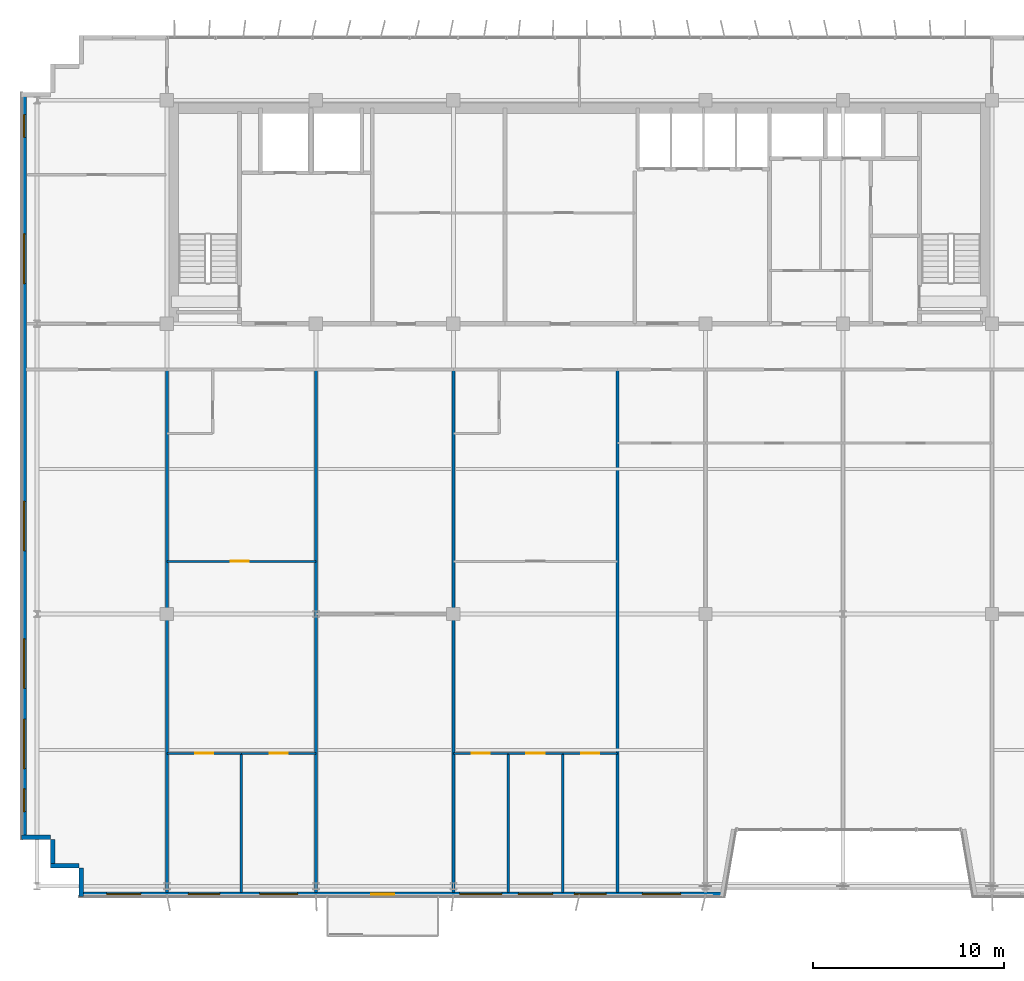
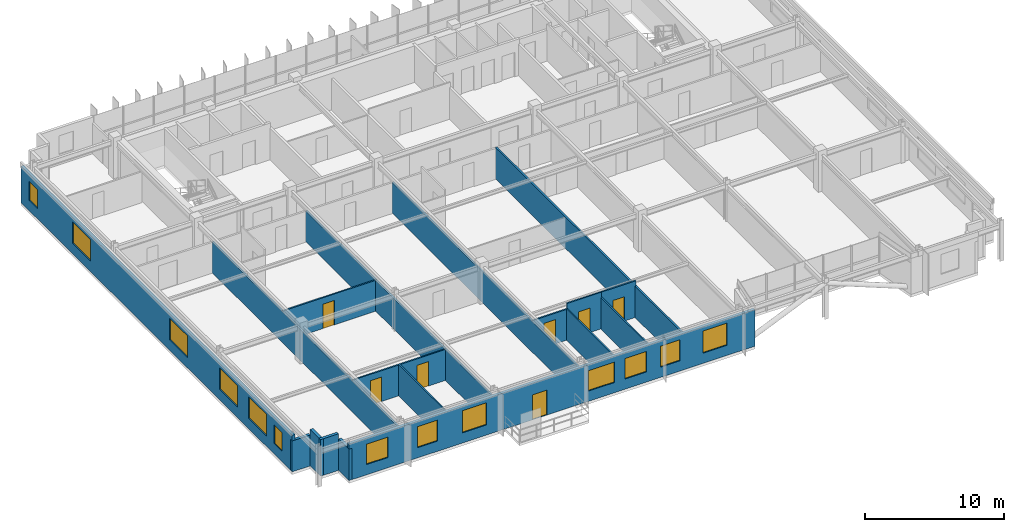
# One storey, part 21 of 27: 19 walls, 13 windows, 7 doors, 20 openings.
"""IFC4 building model written with IfcOpenShell, lengths in metres."""

from ifc_helpers import new_model, si_unit, direction, frame, frame_2d, origin, place, context, subcontext, project, spatial, rectangle, extrude, source, transform, mapped, material, layer, layer_set, type_object, element, fill, save


model = new_model("IFC4")

# Units and contexts
model_context = context("Model", 3, precision=1e-05, world=origin(), true_north=direction((0.0, 1.0)))
body_context = subcontext(model_context, "Body", "Model", "MODEL_VIEW")
ifc_project = project(units=[si_unit("LENGTHUNIT", "METRE"), si_unit("AREAUNIT", "SQUARE_METRE"), si_unit("VOLUMEUNIT", "CUBIC_METRE"), si_unit("PLANEANGLEUNIT", "RADIAN"), si_unit("MASSUNIT", "GRAM", prefix="KILO")], contexts=[model_context])

# Site, building, storey
site_placement = place(None, origin())
site = spatial("IfcSite", under=ifc_project, at=site_placement, CompositionType="ELEMENT")
building_placement = place(site_placement, origin())
building = spatial("IfcBuilding", under=site, at=building_placement, Name="Trelvane Seafront Commons", CompositionType="ELEMENT")
storey_placement = place(building_placement, frame((0.0, 0.0, 237.300048828125)))
storey = spatial("IfcBuildingStorey", under=building, at=storey_placement, Name="L62", CompositionType="ELEMENT", Elevation=237.300048828125)

# Walls
ifc_material_1 = material(Name="Precast concrete C40/50", Category="concrete")
ifc_layer_1 = layer(ifc_material_1, 0.239990234375, Name="ARCH-WALL-EXT240")
ifc_layer_set_1 = layer_set([ifc_layer_1], Name="Precast concrete C40/50")
wall_type_1 = type_object("IfcWallType", Name="ARCH-WALL-EXT240", PredefinedType="SOLIDWALL", material=ifc_layer_set_1)
for number, where, z_axis, x_axis, name in (
    (1, (11.0, 5.02001953125, 0.0), (0.0, 0.0, 1.0), (-1.0, 0.0, 0.0), "EW-L62-01255"),
    (2, (9.6201171875, 4.89990234375, 0.0), (0.0, 0.0, 1.0), (0.0, 1.0, 0.0), "EW-L62-01256"),
):
    element("IfcWall", number, at=place(storey_placement, frame(where, z_axis=z_axis, x_axis=x_axis)), inside=storey, type_object=wall_type_1, Name=name, PredefinedType="SOLIDWALL", context=body_context, shape_type="SweptSolid", body=[
        extrude(rectangle(XDim=1.5, YDim=0.239990234375, at=frame_2d((0.75, 0.0))), origin(), (0.0, 0.0, 1.0), 3.219970703125),
    ])
wall_1_placement = place(storey_placement, frame((9.5, 6.52001953125, 0.0), z_axis=(0.0, 0.0, 1.0), x_axis=(-1.0, 0.0, 0.0)))
element("IfcWall", 3, at=wall_1_placement, inside=storey, type_object=wall_type_1, Name="EW-L62-01257", PredefinedType="SOLIDWALL", context=body_context, shape_type="SweptSolid", body=[
    extrude(rectangle(XDim=1.5, YDim=0.239990234375, at=frame_2d((0.75, 0.0))), origin(), (0.0, 0.0, 1.0), 2.719970703125),
])

# Wall, openings, windows
wall_2_placement = place(storey_placement, frame((8.1201171875, 6.39990234375, 0.0), z_axis=(0.0, 0.0, 1.0), x_axis=(0.0, 1.0, 0.0)))
wall_2 = element("IfcWall", 4, at=wall_2_placement, inside=storey, type_object=wall_type_1, Name="EW-L62-01258", PredefinedType="SOLIDWALL", context=body_context, shape_type="SweptSolid", body=[
    extrude(rectangle(XDim=39.10009765625, YDim=0.239990234375, at=frame_2d((19.550048828125, 0.0))), origin(), (0.0, 0.0, 1.0), 3.219970703125),
])
opening_1_placement = place(wall_2_placement, frame((1.449951171875, 0.0, 0.919921875)))
opening_1 = element("IfcOpeningElement", 5, at=opening_1_placement, cuts=wall_2, Name="Opening W05", PredefinedType="OPENING", context=body_context, shape_type="SweptSolid", body=[
    extrude(rectangle(XDim=1.199951171875, YDim=1.64990234375, at=frame_2d((0.60009765625, 0.824951171875))), frame((0.0, 0.1298828125, 0.0), z_axis=(0.0, -1.0, 0.0), x_axis=(1.0, 0.0, 0.0)), (0.0, 0.0, 1.0), 0.260009765625),
])
opening_2_placement = place(wall_2_placement, frame((3.699951171875, 0.0, 0.919921875)))
opening_2 = element("IfcOpeningElement", 6, at=opening_2_placement, cuts=wall_2, Name="Opening W04", PredefinedType="OPENING", context=body_context, shape_type="SweptSolid", body=[
    extrude(rectangle(XDim=2.60009765625, YDim=1.89990234375, at=frame_2d((1.300048828125, 0.949951171875))), frame((0.0, 0.1298828125, 0.0), z_axis=(0.0, -1.0, 0.0), x_axis=(1.0, 0.0, 0.0)), (0.0, 0.0, 1.0), 0.260009765625),
])
opening_3_placement = place(wall_2_placement, frame((7.89990234375, 0.0, 0.919921875)))
opening_3 = element("IfcOpeningElement", 7, at=opening_3_placement, cuts=wall_2, Name="Opening W04", PredefinedType="OPENING", context=body_context, shape_type="SweptSolid", body=[
    extrude(rectangle(XDim=2.60009765625, YDim=1.89990234375, at=frame_2d((1.300048828125, 0.949951171875))), frame((0.0, 0.1298828125, 0.0), z_axis=(0.0, -1.0, 0.0), x_axis=(1.0, 0.0, 0.0)), (0.0, 0.0, 1.0), 0.260009765625),
])
opening_4_placement = place(wall_2_placement, frame((15.10009765625, 0.0, 0.919921875)))
opening_4 = element("IfcOpeningElement", 8, at=opening_4_placement, cuts=wall_2, Name="Opening W04", PredefinedType="OPENING", context=body_context, shape_type="SweptSolid", body=[
    extrude(rectangle(XDim=2.60009765625, YDim=1.89990234375, at=frame_2d((1.300048828125, 0.949951171875))), frame((0.0, 0.1298828125, 0.0), z_axis=(0.0, -1.0, 0.0), x_axis=(1.0, 0.0, 0.0)), (0.0, 0.0, 1.0), 0.260009765625),
])
opening_5_placement = place(wall_2_placement, frame((29.10009765625, 0.0, 0.919921875)))
opening_5 = element("IfcOpeningElement", 9, at=opening_5_placement, cuts=wall_2, Name="Opening W04", PredefinedType="OPENING", context=body_context, shape_type="SweptSolid", body=[
    extrude(rectangle(XDim=2.60009765625, YDim=1.89990234375, at=frame_2d((1.300048828125, 0.949951171875))), frame((0.0, 0.1298828125, 0.0), z_axis=(0.0, -1.0, 0.0), x_axis=(1.0, 0.0, 0.0)), (0.0, 0.0, 1.0), 0.260009765625),
])
opening_6_placement = place(wall_2_placement, frame((36.75, 0.0, 0.919921875)))
opening_6 = element("IfcOpeningElement", 10, at=opening_6_placement, cuts=wall_2, Name="Opening W05", PredefinedType="OPENING", context=body_context, shape_type="SweptSolid", body=[
    extrude(rectangle(XDim=1.199951171875, YDim=1.64990234375, at=frame_2d((0.60009765625, 0.824951171875))), frame((0.0, 0.1298828125, 0.0), z_axis=(0.0, -1.0, 0.0), x_axis=(1.0, 0.0, 0.0)), (0.0, 0.0, 1.0), 0.260009765625),
])
ifc_material_2 = material(Name="Low-E coastal double glazing", Category="glass")
window_type_1 = type_object("IfcWindowType", Name="ARCH-WIN-W04", PartitioningType="SINGLE_PANEL", PredefinedType="WINDOW", material=ifc_material_2)
shared_shape_1 = source(origin(), body_context, "Body", "SweptSolid", [
    extrude(rectangle(XDim=2.60009765625, YDim=1.89990234375, at=frame_2d((1.300048828125, 0.949951171875))), frame((0.0, 0.030029296875, 0.0), z_axis=(0.0, -1.0, 0.0), x_axis=(1.0, 0.0, 0.0)), (0.0, 0.0, 1.0), 0.06005859375),
])
window_1_placement = place(opening_2_placement, origin())
window_1 = element("IfcWindow", 11, at=window_1_placement, inside=storey, type_object=window_type_1, Name="WIN-L62-EW-01514", OverallHeight=1.89990234375, OverallWidth=2.60009765625, PartitioningType="SINGLE_PANEL", PredefinedType="WINDOW", context=body_context, shape_type="MappedRepresentation", body=[
    mapped(shared_shape_1, transform((0.0, 0.0, 0.0), x_axis=(1.0, 0.0, 0.0), y_axis=(0.0, 1.0, 0.0), z_axis=(0.0, 0.0, 1.0), scale=1.0)),
])
fill(opening_2, window_1)
window_2_placement = place(opening_3_placement, origin())
window_2 = element("IfcWindow", 12, at=window_2_placement, inside=storey, type_object=window_type_1, Name="WIN-L62-EW-01515", OverallHeight=1.89990234375, OverallWidth=2.60009765625, PartitioningType="SINGLE_PANEL", PredefinedType="WINDOW", context=body_context, shape_type="MappedRepresentation", body=[
    mapped(shared_shape_1, transform((0.0, 0.0, 0.0), x_axis=(1.0, 0.0, 0.0), y_axis=(0.0, 1.0, 0.0), z_axis=(0.0, 0.0, 1.0), scale=1.0)),
])
fill(opening_3, window_2)
window_3_placement = place(opening_4_placement, origin())
window_3 = element("IfcWindow", 13, at=window_3_placement, inside=storey, type_object=window_type_1, Name="WIN-L62-EW-01516", OverallHeight=1.89990234375, OverallWidth=2.60009765625, PartitioningType="SINGLE_PANEL", PredefinedType="WINDOW", context=body_context, shape_type="MappedRepresentation", body=[
    mapped(shared_shape_1, transform((0.0, 0.0, 0.0), x_axis=(1.0, 0.0, 0.0), y_axis=(0.0, 1.0, 0.0), z_axis=(0.0, 0.0, 1.0), scale=1.0)),
])
fill(opening_4, window_3)
window_4_placement = place(opening_5_placement, origin())
window_4 = element("IfcWindow", 14, at=window_4_placement, inside=storey, type_object=window_type_1, Name="WIN-L62-EW-01517", OverallHeight=1.89990234375, OverallWidth=2.60009765625, PartitioningType="SINGLE_PANEL", PredefinedType="WINDOW", context=body_context, shape_type="MappedRepresentation", body=[
    mapped(shared_shape_1, transform((0.0, 0.0, 0.0), x_axis=(1.0, 0.0, 0.0), y_axis=(0.0, 1.0, 0.0), z_axis=(0.0, 0.0, 1.0), scale=1.0)),
])
fill(opening_5, window_4)
window_type_2 = type_object("IfcWindowType", Name="ARCH-WIN-W05", PartitioningType="SINGLE_PANEL", PredefinedType="WINDOW", material=ifc_material_2)
shared_shape_2 = source(origin(), body_context, "Body", "SweptSolid", [
    extrude(rectangle(XDim=1.199951171875, YDim=1.64990234375, at=frame_2d((0.60009765625, 0.824951171875))), frame((0.0, 0.030029296875, 0.0), z_axis=(0.0, -1.0, 0.0), x_axis=(1.0, 0.0, 0.0)), (0.0, 0.0, 1.0), 0.06005859375),
])
window_5_placement = place(opening_1_placement, origin())
window_5 = element("IfcWindow", 15, at=window_5_placement, inside=storey, type_object=window_type_2, Name="WIN-L62-EW-01513", OverallHeight=1.64990234375, OverallWidth=1.199951171875, PartitioningType="SINGLE_PANEL", PredefinedType="WINDOW", context=body_context, shape_type="MappedRepresentation", body=[
    mapped(shared_shape_2, transform((0.0, 0.0, 0.0), x_axis=(1.0, 0.0, 0.0), y_axis=(0.0, 1.0, 0.0), z_axis=(0.0, 0.0, 1.0), scale=1.0)),
])
fill(opening_1, window_5)
window_6_placement = place(opening_6_placement, origin())
window_6 = element("IfcWindow", 16, at=window_6_placement, inside=storey, type_object=window_type_2, Name="WIN-L62-EW-01518", OverallHeight=1.64990234375, OverallWidth=1.199951171875, PartitioningType="SINGLE_PANEL", PredefinedType="WINDOW", context=body_context, shape_type="MappedRepresentation", body=[
    mapped(shared_shape_2, transform((0.0, 0.0, 0.0), x_axis=(1.0, 0.0, 0.0), y_axis=(0.0, 1.0, 0.0), z_axis=(0.0, 0.0, 1.0), scale=1.0)),
])
fill(opening_6, window_6)

# Wall, openings, door, windows
wall_3_placement = place(storey_placement, frame((44.800048828125, 3.52001953125, 0.0), z_axis=(0.0, 0.0, 1.0), x_axis=(-1.0, 0.0, 0.0)))
wall_3 = element("IfcWall", 17, at=wall_3_placement, inside=storey, type_object=wall_type_1, Name="EW-L62-01275", PredefinedType="SOLIDWALL", context=body_context, shape_type="SweptSolid", body=[
    extrude(rectangle(XDim=33.800048828125, YDim=0.239990234375, at=frame_2d((16.89990234375, 0.0))), origin(), (0.0, 0.0, 1.0), 3.219970703125),
])
opening_7_placement = place(wall_3_placement, frame((2.300048828125, 0.0, 0.89990234375)))
opening_7 = element("IfcOpeningElement", 18, at=opening_7_placement, cuts=wall_3, Name="Opening W06", PredefinedType="OPENING", context=body_context, shape_type="SweptSolid", body=[
    extrude(rectangle(XDim=2.0, YDim=1.949951171875, at=frame_2d((1.0, 0.97509765625))), frame((0.0, 0.1298828125, 0.0), z_axis=(0.0, -1.0, 0.0), x_axis=(1.0, 0.0, 0.0)), (0.0, 0.0, 1.0), 0.260009765625),
])
opening_8_placement = place(wall_3_placement, frame((6.2080078125, 0.0, 0.89990234375)))
opening_8 = element("IfcOpeningElement", 19, at=opening_8_placement, cuts=wall_3, Name="Opening W07", PredefinedType="OPENING", context=body_context, shape_type="SweptSolid", body=[
    extrude(rectangle(XDim=1.64990234375, YDim=1.85009765625, at=frame_2d((0.824951171875, 0.925048828125))), frame((0.0, 0.1298828125, 0.0), z_axis=(0.0, -1.0, 0.0), x_axis=(1.0, 0.0, 0.0)), (0.0, 0.0, 1.0), 0.260009765625),
])
opening_9_placement = place(wall_3_placement, frame((9.0, 0.0, 0.89990234375)))
opening_9 = element("IfcOpeningElement", 20, at=opening_9_placement, cuts=wall_3, Name="Opening W01", PredefinedType="OPENING", context=body_context, shape_type="SweptSolid", body=[
    extrude(rectangle(XDim=1.800048828125, YDim=1.800048828125, at=frame_2d((0.89990234375, 0.89990234375))), frame((0.0, 0.1298828125, 0.0), z_axis=(0.0, -1.0, 0.0), x_axis=(1.0, 0.0, 0.0)), (0.0, 0.0, 1.0), 0.260009765625),
])
opening_10_placement = place(wall_3_placement, frame((11.666015625, 0.0, 0.89990234375)))
opening_10 = element("IfcOpeningElement", 21, at=opening_10_placement, cuts=wall_3, Name="Opening W02", PredefinedType="OPENING", context=body_context, shape_type="SweptSolid", body=[
    extrude(rectangle(XDim=2.199951171875, YDim=1.800048828125, at=frame_2d((1.10009765625, 0.89990234375))), frame((0.0, 0.1298828125, 0.0), z_axis=(0.0, -1.0, 0.0), x_axis=(1.0, 0.0, 0.0)), (0.0, 0.0, 1.0), 0.260009765625),
])
opening_11_placement = place(wall_3_placement, frame((17.291015625, 0.0, 0.0)))
opening_11 = element("IfcOpeningElement", 22, at=opening_11_placement, cuts=wall_3, Name="Opening BD-L62-129", PredefinedType="OPENING", context=body_context, shape_type="SweptSolid", body=[
    extrude(rectangle(XDim=1.199951171875, YDim=2.199951171875, at=frame_2d((0.60009765625, 1.10009765625))), frame((0.0, 0.1298828125, 0.0), z_axis=(0.0, -1.0, 0.0), x_axis=(1.0, 0.0, 0.0)), (0.0, 0.0, 1.0), 0.260009765625),
])
opening_12_placement = place(wall_3_placement, frame((22.35009765625, 0.0, 0.89990234375)))
opening_12 = element("IfcOpeningElement", 23, at=opening_12_placement, cuts=wall_3, Name="Opening W06", PredefinedType="OPENING", context=body_context, shape_type="SweptSolid", body=[
    extrude(rectangle(XDim=2.0, YDim=1.949951171875, at=frame_2d((1.0, 0.97509765625))), frame((0.0, 0.1298828125, 0.0), z_axis=(0.0, -1.0, 0.0), x_axis=(1.0, 0.0, 0.0)), (0.0, 0.0, 1.0), 0.260009765625),
])
opening_13_placement = place(wall_3_placement, frame((26.425048828125, 0.0, 0.89990234375)))
opening_13 = element("IfcOpeningElement", 24, at=opening_13_placement, cuts=wall_3, Name="Opening W07", PredefinedType="OPENING", context=body_context, shape_type="SweptSolid", body=[
    extrude(rectangle(XDim=1.64990234375, YDim=1.85009765625, at=frame_2d((0.824951171875, 0.925048828125))), frame((0.0, 0.1298828125, 0.0), z_axis=(0.0, -1.0, 0.0), x_axis=(1.0, 0.0, 0.0)), (0.0, 0.0, 1.0), 0.260009765625),
])
opening_14_placement = place(wall_3_placement, frame((30.554931640625, 0.0, 0.89990234375)))
opening_14 = element("IfcOpeningElement", 25, at=opening_14_placement, cuts=wall_3, Name="Opening W01", PredefinedType="OPENING", context=body_context, shape_type="SweptSolid", body=[
    extrude(rectangle(XDim=1.800048828125, YDim=1.800048828125, at=frame_2d((0.89990234375, 0.89990234375))), frame((0.0, 0.1298828125, 0.0), z_axis=(0.0, -1.0, 0.0), x_axis=(1.0, 0.0, 0.0)), (0.0, 0.0, 1.0), 0.260009765625),
])
ifc_material_3 = material(Name="Powder-coated aluminium frame", Category="aluminium")
door_type_1 = type_object("IfcDoorType", Name="ARCH-DR-BAL1200", OperationType="NOTDEFINED", PredefinedType="DOOR", material=ifc_material_3)
shared_shape_3 = source(origin(), body_context, "Body", "SweptSolid", [
    extrude(rectangle(XDim=1.199951171875, YDim=2.199951171875, at=frame_2d((0.60009765625, 1.10009765625))), frame((0.0, 0.02490234375, 0.0), z_axis=(0.0, -1.0, 0.0), x_axis=(1.0, 0.0, 0.0)), (0.0, 0.0, 1.0), 0.050048828125),
])
door_1_placement = place(opening_11_placement, origin())
door_1 = element("IfcDoor", 26, at=door_1_placement, inside=storey, type_object=door_type_1, Name="L62 Balcony Terrace Access Door", OperationType="SINGLE_SWING_LEFT", OverallHeight=2.199951171875, OverallWidth=1.199951171875, PredefinedType="DOOR", context=body_context, shape_type="MappedRepresentation", body=[
    mapped(shared_shape_3, transform((0.0, 0.0, 0.0), x_axis=(1.0, 0.0, 0.0), y_axis=(0.0, 1.0, 0.0), z_axis=(0.0, 0.0, 1.0), scale=1.0)),
])
fill(opening_11, door_1)
window_type_3 = type_object("IfcWindowType", Name="ARCH-WIN-W02", PartitioningType="SINGLE_PANEL", PredefinedType="WINDOW", material=ifc_material_2)
shared_shape_4 = source(origin(), body_context, "Body", "SweptSolid", [
    extrude(rectangle(XDim=2.199951171875, YDim=1.800048828125, at=frame_2d((1.10009765625, 0.89990234375))), frame((0.0, 0.030029296875, 0.0), z_axis=(0.0, -1.0, 0.0), x_axis=(1.0, 0.0, 0.0)), (0.0, 0.0, 1.0), 0.06005859375),
])
window_7_placement = place(opening_10_placement, origin())
window_7 = element("IfcWindow", 27, at=window_7_placement, inside=storey, type_object=window_type_3, Name="WIN-L62-01530", OverallHeight=1.800048828125, OverallWidth=2.199951171875, PartitioningType="SINGLE_PANEL", PredefinedType="WINDOW", context=body_context, shape_type="MappedRepresentation", body=[
    mapped(shared_shape_4, transform((0.0, 0.0, 0.0), x_axis=(1.0, 0.0, 0.0), y_axis=(0.0, 1.0, 0.0), z_axis=(0.0, 0.0, 1.0), scale=1.0)),
])
fill(opening_10, window_7)
window_type_4 = type_object("IfcWindowType", Name="ARCH-WIN-W06", PartitioningType="SINGLE_PANEL", PredefinedType="WINDOW", material=ifc_material_2)
shared_shape_5 = source(origin(), body_context, "Body", "SweptSolid", [
    extrude(rectangle(XDim=2.0, YDim=1.949951171875, at=frame_2d((1.0, 0.97509765625))), frame((0.0, 0.030029296875, 0.0), z_axis=(0.0, -1.0, 0.0), x_axis=(1.0, 0.0, 0.0)), (0.0, 0.0, 1.0), 0.06005859375),
])
window_8_placement = place(opening_7_placement, origin())
window_8 = element("IfcWindow", 28, at=window_8_placement, inside=storey, type_object=window_type_4, Name="WIN-L62-01527", OverallHeight=1.949951171875, OverallWidth=2.0, PartitioningType="SINGLE_PANEL", PredefinedType="WINDOW", context=body_context, shape_type="MappedRepresentation", body=[
    mapped(shared_shape_5, transform((0.0, 0.0, 0.0), x_axis=(1.0, 0.0, 0.0), y_axis=(0.0, 1.0, 0.0), z_axis=(0.0, 0.0, 1.0), scale=1.0)),
])
fill(opening_7, window_8)
window_9_placement = place(opening_12_placement, origin())
window_9 = element("IfcWindow", 29, at=window_9_placement, inside=storey, type_object=window_type_4, Name="WIN-L62-01531", OverallHeight=1.949951171875, OverallWidth=2.0, PartitioningType="SINGLE_PANEL", PredefinedType="WINDOW", context=body_context, shape_type="MappedRepresentation", body=[
    mapped(shared_shape_5, transform((0.0, 0.0, 0.0), x_axis=(1.0, 0.0, 0.0), y_axis=(0.0, 1.0, 0.0), z_axis=(0.0, 0.0, 1.0), scale=1.0)),
])
fill(opening_12, window_9)
window_type_5 = type_object("IfcWindowType", Name="ARCH-WIN-W01", PartitioningType="SINGLE_PANEL", PredefinedType="WINDOW", material=ifc_material_2)
shared_shape_6 = source(origin(), body_context, "Body", "SweptSolid", [
    extrude(rectangle(XDim=1.800048828125, YDim=1.800048828125, at=frame_2d((0.89990234375, 0.89990234375))), frame((0.0, 0.030029296875, 0.0), z_axis=(0.0, -1.0, 0.0), x_axis=(1.0, 0.0, 0.0)), (0.0, 0.0, 1.0), 0.06005859375),
])
window_10_placement = place(opening_9_placement, origin())
window_10 = element("IfcWindow", 30, at=window_10_placement, inside=storey, type_object=window_type_5, Name="WIN-L62-01529", OverallHeight=1.800048828125, OverallWidth=1.800048828125, PartitioningType="SINGLE_PANEL", PredefinedType="WINDOW", context=body_context, shape_type="MappedRepresentation", body=[
    mapped(shared_shape_6, transform((0.0, 0.0, 0.0), x_axis=(1.0, 0.0, 0.0), y_axis=(0.0, 1.0, 0.0), z_axis=(0.0, 0.0, 1.0), scale=1.0)),
])
fill(opening_9, window_10)
window_11_placement = place(opening_14_placement, origin())
window_11 = element("IfcWindow", 31, at=window_11_placement, inside=storey, type_object=window_type_5, Name="WIN-L62-01533", OverallHeight=1.800048828125, OverallWidth=1.800048828125, PartitioningType="SINGLE_PANEL", PredefinedType="WINDOW", context=body_context, shape_type="MappedRepresentation", body=[
    mapped(shared_shape_6, transform((0.0, 0.0, 0.0), x_axis=(1.0, 0.0, 0.0), y_axis=(0.0, 1.0, 0.0), z_axis=(0.0, 0.0, 1.0), scale=1.0)),
])
fill(opening_14, window_11)
window_type_6 = type_object("IfcWindowType", Name="ARCH-WIN-W07", PartitioningType="SINGLE_PANEL", PredefinedType="WINDOW", material=ifc_material_2)
shared_shape_7 = source(origin(), body_context, "Body", "SweptSolid", [
    extrude(rectangle(XDim=1.64990234375, YDim=1.85009765625, at=frame_2d((0.824951171875, 0.925048828125))), frame((0.0, 0.030029296875, 0.0), z_axis=(0.0, -1.0, 0.0), x_axis=(1.0, 0.0, 0.0)), (0.0, 0.0, 1.0), 0.06005859375),
])
window_12_placement = place(opening_8_placement, origin())
window_12 = element("IfcWindow", 32, at=window_12_placement, inside=storey, type_object=window_type_6, Name="WIN-L62-01528", OverallHeight=1.85009765625, OverallWidth=1.64990234375, PartitioningType="SINGLE_PANEL", PredefinedType="WINDOW", context=body_context, shape_type="MappedRepresentation", body=[
    mapped(shared_shape_7, transform((0.0, 0.0, 0.0), x_axis=(1.0, 0.0, 0.0), y_axis=(0.0, 1.0, 0.0), z_axis=(0.0, 0.0, 1.0), scale=1.0)),
])
fill(opening_8, window_12)
window_13_placement = place(opening_13_placement, origin())
window_13 = element("IfcWindow", 33, at=window_13_placement, inside=storey, type_object=window_type_6, Name="WIN-L62-01532", OverallHeight=1.85009765625, OverallWidth=1.64990234375, PartitioningType="SINGLE_PANEL", PredefinedType="WINDOW", context=body_context, shape_type="MappedRepresentation", body=[
    mapped(shared_shape_7, transform((0.0, 0.0, 0.0), x_axis=(1.0, 0.0, 0.0), y_axis=(0.0, 1.0, 0.0), z_axis=(0.0, 0.0, 1.0), scale=1.0)),
])
fill(opening_13, window_13)

# Wall
wall_4_placement = place(storey_placement, frame((11.1201171875, 3.39990234375, 0.0), z_axis=(0.0, 0.0, 1.0), x_axis=(0.0, 1.0, 0.0)))
element("IfcWall", 34, at=wall_4_placement, inside=storey, type_object=wall_type_1, Name="EW-L62-01276", PredefinedType="SOLIDWALL", context=body_context, shape_type="SweptSolid", body=[
    extrude(rectangle(XDim=1.5, YDim=0.239990234375, at=frame_2d((0.75, 0.0))), origin(), (0.0, 0.0, 1.0), 2.77001953125),
])

# Wall, opening, door
ifc_material_4 = material(Name="Gypsum Drywall Acoustic Partition")
ifc_layer_2 = layer(ifc_material_4, 0.1201171875, Name="ARCH-WALL-PART120")
ifc_layer_set_2 = layer_set([ifc_layer_2], Name="Gypsum Drywall Acoustic Partition")
wall_type_2 = type_object("IfcWallType", Name="ARCH-WALL-PART120", PredefinedType="PARTITIONING", material=ifc_layer_set_2)
wall_5_placement = place(storey_placement, frame((15.60009765625, 20.949951171875, 0.0), z_axis=(0.0, 0.0, 1.0), x_axis=(1.0, 0.0, 0.0)))
wall_5 = element("IfcWall", 35, at=wall_5_placement, inside=storey, type_object=wall_type_2, Name="W-L62-U2-KL-049", PredefinedType="PARTITIONING", context=body_context, shape_type="SweptSolid", body=[
    extrude(rectangle(XDim=7.7998046875, YDim=0.1201171875, at=frame_2d((3.89990234375, 0.0))), origin(), (0.0, 0.0, 1.0), 2.719970703125),
])
opening_15_placement = place(wall_5_placement, frame((3.3330078125, 0.0, 0.0)))
opening_15 = element("IfcOpeningElement", 36, at=opening_15_placement, cuts=wall_5, Name="Opening D-L62-29", PredefinedType="OPENING", context=body_context, shape_type="SweptSolid", body=[
    extrude(rectangle(XDim=0.949951171875, YDim=2.14990234375, at=frame_2d((0.47509765625, 1.074951171875))), frame((0.0, 0.070068359375, 0.0), z_axis=(0.0, -1.0, 0.0), x_axis=(1.0, 0.0, 0.0)), (0.0, 0.0, 1.0), 0.14013671875),
])
ifc_material_5 = material(Name="Acoustic timber door leaf", Category="wood")
door_type_2 = type_object("IfcDoorType", Name="ARCH-DR-INT950", OperationType="NOTDEFINED", PredefinedType="DOOR", material=ifc_material_5)
shared_shape_8 = source(origin(), body_context, "Body", "SweptSolid", [
    extrude(rectangle(XDim=0.949951171875, YDim=2.14990234375, at=frame_2d((0.47509765625, 1.074951171875))), frame((0.0, 0.02490234375, 0.0), z_axis=(0.0, -1.0, 0.0), x_axis=(1.0, 0.0, 0.0)), (0.0, 0.0, 1.0), 0.050048828125),
])
door_2_placement = place(opening_15_placement, origin())
door_2 = element("IfcDoor", 37, at=door_2_placement, inside=storey, type_object=door_type_2, Name="L62 Door 29", OperationType="SINGLE_SWING_LEFT", OverallHeight=2.14990234375, OverallWidth=0.949951171875, PredefinedType="DOOR", context=body_context, shape_type="MappedRepresentation", body=[
    mapped(shared_shape_8, transform((0.0, 0.0, 0.0), x_axis=(1.0, 0.0, 0.0), y_axis=(0.0, 1.0, 0.0), z_axis=(0.0, 0.0, 1.0), scale=1.0)),
])
fill(opening_15, door_2)

wall_6_placement = place(storey_placement, frame((15.60009765625, 10.89990234375, 0.0), z_axis=(0.0, 0.0, 1.0), x_axis=(1.0, 0.0, 0.0)))
wall_6 = element("IfcWall", 38, at=wall_6_placement, inside=storey, type_object=wall_type_2, Name="W-L62-U2-YM-1-053", PredefinedType="PARTITIONING", context=body_context, shape_type="SweptSolid", body=[
    extrude(rectangle(XDim=3.89990234375, YDim=0.1201171875, at=frame_2d((1.949951171875, 0.0))), origin(), (0.0, 0.0, 1.0), 2.719970703125),
])
opening_16_placement = place(wall_6_placement, frame((1.47509765625, 0.0, 0.0)))
opening_16 = element("IfcOpeningElement", 39, at=opening_16_placement, cuts=wall_6, Name="Opening D-L62-32", PredefinedType="OPENING", context=body_context, shape_type="SweptSolid", body=[
    extrude(rectangle(XDim=0.949951171875, YDim=2.14990234375, at=frame_2d((0.47509765625, 1.074951171875))), frame((0.0, 0.070068359375, 0.0), z_axis=(0.0, -1.0, 0.0), x_axis=(1.0, 0.0, 0.0)), (0.0, 0.0, 1.0), 0.14013671875),
])
door_3_placement = place(opening_16_placement, origin())
door_3 = element("IfcDoor", 40, at=door_3_placement, inside=storey, type_object=door_type_2, Name="L62 Door 32", OperationType="SINGLE_SWING_RIGHT", OverallHeight=2.14990234375, OverallWidth=0.949951171875, PredefinedType="DOOR", context=body_context, shape_type="MappedRepresentation", body=[
    mapped(shared_shape_8, transform((0.0, 0.0, 0.0), x_axis=(1.0, 0.0, 0.0), y_axis=(0.0, 1.0, 0.0), z_axis=(0.0, 0.0, 1.0), scale=1.0)),
])
fill(opening_16, door_3)

wall_7_placement = place(storey_placement, frame((19.5, 10.89990234375, 0.0), z_axis=(0.0, 0.0, 1.0), x_axis=(1.0, 0.0, 0.0)))
wall_7 = element("IfcWall", 41, at=wall_7_placement, inside=storey, type_object=wall_type_2, Name="W-L62-U2-YM-2-054", PredefinedType="PARTITIONING", context=body_context, shape_type="SweptSolid", body=[
    extrude(rectangle(XDim=3.89990234375, YDim=0.1201171875, at=frame_2d((1.949951171875, 0.0))), origin(), (0.0, 0.0, 1.0), 2.719970703125),
])
opening_17_placement = place(wall_7_placement, frame((1.47509765625, 0.0, 0.0)))
opening_17 = element("IfcOpeningElement", 42, at=opening_17_placement, cuts=wall_7, Name="Opening D-L62-33", PredefinedType="OPENING", context=body_context, shape_type="SweptSolid", body=[
    extrude(rectangle(XDim=0.949951171875, YDim=2.14990234375, at=frame_2d((0.47509765625, 1.074951171875))), frame((0.0, 0.070068359375, 0.0), z_axis=(0.0, -1.0, 0.0), x_axis=(1.0, 0.0, 0.0)), (0.0, 0.0, 1.0), 0.14013671875),
])
door_4_placement = place(opening_17_placement, origin())
door_4 = element("IfcDoor", 43, at=door_4_placement, inside=storey, type_object=door_type_2, Name="L62 Door 33", OperationType="SINGLE_SWING_LEFT", OverallHeight=2.14990234375, OverallWidth=0.949951171875, PredefinedType="DOOR", context=body_context, shape_type="MappedRepresentation", body=[
    mapped(shared_shape_8, transform((0.0, 0.0, 0.0), x_axis=(1.0, 0.0, 0.0), y_axis=(0.0, 1.0, 0.0), z_axis=(0.0, 0.0, 1.0), scale=1.0)),
])
fill(opening_17, door_4)

# Wall
wall_8_placement = place(storey_placement, frame((19.5, 3.625, 0.0), z_axis=(0.0, 0.0, 1.0), x_axis=(0.0, 1.0, 0.0)))
element("IfcWall", 44, at=wall_8_placement, inside=storey, type_object=wall_type_2, Name="W-L62-U2-BDV-1-055", PredefinedType="PARTITIONING", context=body_context, shape_type="SweptSolid", body=[
    extrude(rectangle(XDim=7.27490234375, YDim=0.1201171875, at=frame_2d((3.637451171875, 0.0))), origin(), (0.0, 0.0, 1.0), 2.77001953125),
])

# Wall, opening, door
wall_9_placement = place(storey_placement, frame((30.60009765625, 10.89990234375, 0.0), z_axis=(0.0, 0.0, 1.0), x_axis=(1.0, 0.0, 0.0)))
wall_9 = element("IfcWall", 45, at=wall_9_placement, inside=storey, type_object=wall_type_2, Name="W-L62-U4-YM-1-062", PredefinedType="PARTITIONING", context=body_context, shape_type="SweptSolid", body=[
    extrude(rectangle(XDim=2.866943359375, YDim=0.1201171875, at=frame_2d((1.43359375, 0.0))), origin(), (0.0, 0.0, 1.0), 2.719970703125),
])
opening_18_placement = place(wall_9_placement, frame((0.9580078125, 0.0, 0.0)))
opening_18 = element("IfcOpeningElement", 46, at=opening_18_placement, cuts=wall_9, Name="Opening D-L62-39", PredefinedType="OPENING", context=body_context, shape_type="SweptSolid", body=[
    extrude(rectangle(XDim=0.949951171875, YDim=2.14990234375, at=frame_2d((0.47509765625, 1.074951171875))), frame((0.0, 0.070068359375, 0.0), z_axis=(0.0, -1.0, 0.0), x_axis=(1.0, 0.0, 0.0)), (0.0, 0.0, 1.0), 0.14013671875),
])
door_5_placement = place(opening_18_placement, origin())
door_5 = element("IfcDoor", 47, at=door_5_placement, inside=storey, type_object=door_type_2, Name="L62 Door 39", OperationType="SINGLE_SWING_LEFT", OverallHeight=2.14990234375, OverallWidth=0.949951171875, PredefinedType="DOOR", context=body_context, shape_type="MappedRepresentation", body=[
    mapped(shared_shape_8, transform((0.0, 0.0, 0.0), x_axis=(1.0, 0.0, 0.0), y_axis=(0.0, 1.0, 0.0), z_axis=(0.0, 0.0, 1.0), scale=1.0)),
])
fill(opening_18, door_5)

wall_10_placement = place(storey_placement, frame((33.467041015625, 10.89990234375, 0.0), z_axis=(0.0, 0.0, 1.0), x_axis=(1.0, 0.0, 0.0)))
wall_10 = element("IfcWall", 48, at=wall_10_placement, inside=storey, type_object=wall_type_2, Name="W-L62-U4-YM-2-063", PredefinedType="PARTITIONING", context=body_context, shape_type="SweptSolid", body=[
    extrude(rectangle(XDim=2.865966796875, YDim=0.1201171875, at=frame_2d((1.43310546875, 0.0))), origin(), (0.0, 0.0, 1.0), 3.219970703125),
])
opening_19_placement = place(wall_10_placement, frame((0.9580078125, 0.0, 0.0)))
opening_19 = element("IfcOpeningElement", 49, at=opening_19_placement, cuts=wall_10, Name="Opening D-L62-40", PredefinedType="OPENING", context=body_context, shape_type="SweptSolid", body=[
    extrude(rectangle(XDim=0.949951171875, YDim=2.14990234375, at=frame_2d((0.47509765625, 1.074951171875))), frame((0.0, 0.070068359375, 0.0), z_axis=(0.0, -1.0, 0.0), x_axis=(1.0, 0.0, 0.0)), (0.0, 0.0, 1.0), 0.14013671875),
])
door_6_placement = place(opening_19_placement, origin())
door_6 = element("IfcDoor", 50, at=door_6_placement, inside=storey, type_object=door_type_2, Name="L62 Door 40", OperationType="SINGLE_SWING_RIGHT", OverallHeight=2.14990234375, OverallWidth=0.949951171875, PredefinedType="DOOR", context=body_context, shape_type="MappedRepresentation", body=[
    mapped(shared_shape_8, transform((0.0, 0.0, 0.0), x_axis=(1.0, 0.0, 0.0), y_axis=(0.0, 1.0, 0.0), z_axis=(0.0, 0.0, 1.0), scale=1.0)),
])
fill(opening_19, door_6)

# Wall
wall_11_placement = place(storey_placement, frame((33.467041015625, 3.625, 0.0), z_axis=(0.0, 0.0, 1.0), x_axis=(0.0, 1.0, 0.0)))
element("IfcWall", 51, at=wall_11_placement, inside=storey, type_object=wall_type_2, Name="W-L62-U4-BDV-1-064", PredefinedType="PARTITIONING", context=body_context, shape_type="SweptSolid", body=[
    extrude(rectangle(XDim=7.27490234375, YDim=0.1201171875, at=frame_2d((3.637451171875, 0.0))), origin(), (0.0, 0.0, 1.0), 2.77001953125),
])

# Wall, opening, door
wall_12_placement = place(storey_placement, frame((36.3330078125, 10.89990234375, 0.0), z_axis=(0.0, 0.0, 1.0), x_axis=(1.0, 0.0, 0.0)))
wall_12 = element("IfcWall", 52, at=wall_12_placement, inside=storey, type_object=wall_type_2, Name="W-L62-U4-YM-3-065", PredefinedType="PARTITIONING", context=body_context, shape_type="SweptSolid", body=[
    extrude(rectangle(XDim=2.866943359375, YDim=0.1201171875, at=frame_2d((1.43359375, 0.0))), origin(), (0.0, 0.0, 1.0), 3.219970703125),
])
opening_20_placement = place(wall_12_placement, frame((0.958984375, 0.0, 0.0)))
opening_20 = element("IfcOpeningElement", 53, at=opening_20_placement, cuts=wall_12, Name="Opening D-L62-41", PredefinedType="OPENING", context=body_context, shape_type="SweptSolid", body=[
    extrude(rectangle(XDim=0.949951171875, YDim=2.14990234375, at=frame_2d((0.47509765625, 1.074951171875))), frame((0.0, 0.070068359375, 0.0), z_axis=(0.0, -1.0, 0.0), x_axis=(1.0, 0.0, 0.0)), (0.0, 0.0, 1.0), 0.14013671875),
])
door_7_placement = place(opening_20_placement, origin())
door_7 = element("IfcDoor", 54, at=door_7_placement, inside=storey, type_object=door_type_2, Name="L62 Door 41", OperationType="SINGLE_SWING_LEFT", OverallHeight=2.14990234375, OverallWidth=0.949951171875, PredefinedType="DOOR", context=body_context, shape_type="MappedRepresentation", body=[
    mapped(shared_shape_8, transform((0.0, 0.0, 0.0), x_axis=(1.0, 0.0, 0.0), y_axis=(0.0, 1.0, 0.0), z_axis=(0.0, 0.0, 1.0), scale=1.0)),
])
fill(opening_20, door_7)

# Walls
wall_13_placement = place(storey_placement, frame((36.3330078125, 3.625, 0.0), z_axis=(0.0, 0.0, 1.0), x_axis=(0.0, 1.0, 0.0)))
element("IfcWall", 55, at=wall_13_placement, inside=storey, type_object=wall_type_2, Name="W-L62-U4-BDV-2-066", PredefinedType="PARTITIONING", context=body_context, shape_type="SweptSolid", body=[
    extrude(rectangle(XDim=7.27490234375, YDim=0.1201171875, at=frame_2d((3.637451171875, 0.0))), origin(), (0.0, 0.0, 1.0), 2.77001953125),
])
ifc_layer_3 = layer(ifc_material_4, 0.14990234375, Name="ARCH-WALL-PART150")
ifc_layer_set_3 = layer_set([ifc_layer_3], Name="Gypsum Drywall Acoustic Partition")
wall_type_3 = type_object("IfcWallType", Name="ARCH-WALL-PART150", PredefinedType="PARTITIONING", material=ifc_layer_set_3)
for number, where, z_axis, x_axis, name in (
    (56, (15.60009765625, 3.625, 0.0), (0.0, 0.0, 1.0), (0.0, 1.0, 0.0), "W-L62-PW-1-041"),
    (57, (23.39990234375, 3.625, 0.0), (0.0, 0.0, 1.0), (0.0, 1.0, 0.0), "W-L62-PW-2-042"),
    (58, (30.60009765625, 3.625, 0.0), (0.0, 0.0, 1.0), (0.0, 1.0, 0.0), "W-L62-PW-3-043"),
):
    element("IfcWall", number, at=place(storey_placement, frame(where, z_axis=z_axis, x_axis=x_axis)), inside=storey, type_object=wall_type_3, Name=name, PredefinedType="PARTITIONING", context=body_context, shape_type="SweptSolid", body=[
        extrude(rectangle(XDim=27.375, YDim=0.14990234375, at=frame_2d((13.6875, 0.0))), origin(), (0.0, 0.0, 1.0), 2.719970703125),
    ])
wall_14_placement = place(storey_placement, frame((39.199951171875, 3.625, 0.0), z_axis=(0.0, 0.0, 1.0), x_axis=(0.0, 1.0, 0.0)))
element("IfcWall", 59, at=wall_14_placement, inside=storey, type_object=wall_type_3, Name="W-L62-PW-4-044", PredefinedType="PARTITIONING", context=body_context, shape_type="SweptSolid", body=[
    extrude(rectangle(XDim=27.375, YDim=0.14990234375, at=frame_2d((13.6875, 0.0))), origin(), (0.0, 0.0, 1.0), 2.77001953125),
])

save(model, "model.ifc")
